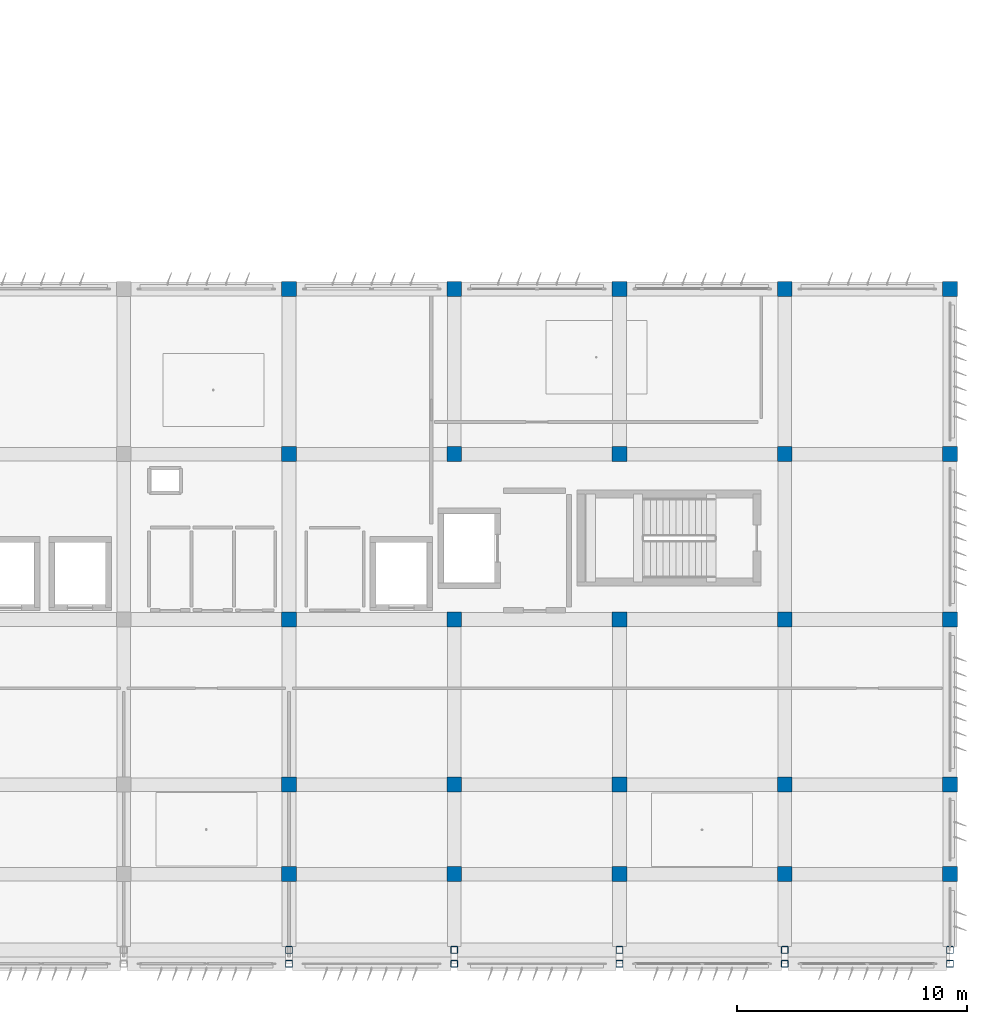
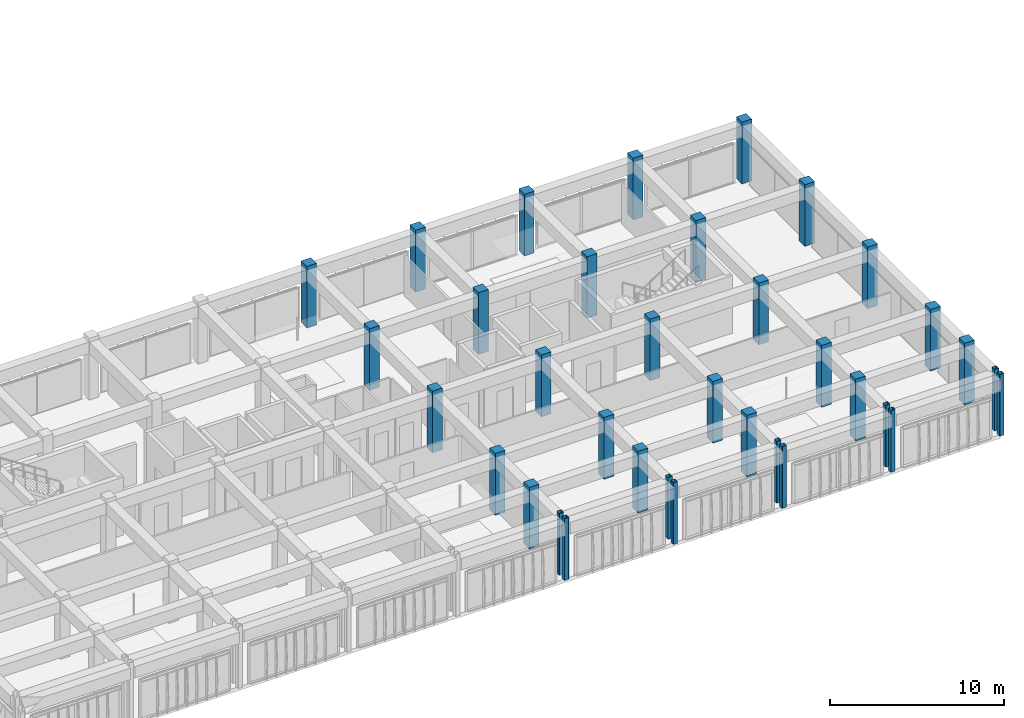
# One storey, part 2 of 53: 35 columns.
"""IFC4 building model written with IfcOpenShell, lengths in metres."""

from ifc_helpers import new_model, si_unit, direction, frame, origin, origin_2d, place, context, subcontext, project, spatial, rectangle, hollow_rectangle, extrude, material, material_profile, profile_set, type_object, element, save


model = new_model("IFC4")

# Units and contexts
model_context = context("Model", 3, precision=1e-05, world=origin(), true_north=direction((0.0, 1.0)))
body_context = subcontext(model_context, "Body", "Model", "MODEL_VIEW")
ifc_project = project(units=[si_unit("LENGTHUNIT", "METRE"), si_unit("AREAUNIT", "SQUARE_METRE"), si_unit("VOLUMEUNIT", "CUBIC_METRE"), si_unit("PLANEANGLEUNIT", "RADIAN"), si_unit("MASSUNIT", "GRAM", prefix="KILO")], contexts=[model_context])

# Site, building, storey
site_placement = place(None, origin())
site = spatial("IfcSite", under=ifc_project, at=site_placement, CompositionType="ELEMENT")
building_placement = place(site_placement, origin())
building = spatial("IfcBuilding", under=site, at=building_placement, Name="Kazehaya Institute of Natural Sciences", CompositionType="ELEMENT")
storey_placement = place(building_placement, frame((0.0, 0.0, 33.300048828125)))
storey = spatial("IfcBuildingStorey", under=building, at=storey_placement, Name="L07", CompositionType="ELEMENT", Elevation=33.300048828125)

# Columns
ifc_material_1 = material(Name="Concrete Fc36", Category="concrete")
ifc_material_profile_1 = material_profile(ifc_material_1, rectangle(XDim=0.64990234375, YDim=0.64990234375, at=origin_2d()), Name="RC-650x650")
ifc_profile_set_1 = profile_set([ifc_material_profile_1], Name="Concrete Fc36")
column_type_1 = type_object("IfcColumnType", Name="COL-RC650", PredefinedType="COLUMN", material=ifc_profile_set_1)
for number, where, z_axis, x_axis, name in (
    (1, (90.60009765625, 10.10009765625, 0.0), (0.0, 0.0, 1.0), (1.0, 0.0, 0.0), "L07 column COL-L07-1236"),
    (2, (97.800048828125, 10.10009765625, 0.0), (0.0, 0.0, 1.0), (1.0, 0.0, 0.0), "L07 column COL-L07-1237"),
    (3, (105.0, 10.10009765625, 0.0), (0.0, 0.0, 1.0), (1.0, 0.0, 0.0), "L07 column COL-L07-1238"),
    (4, (112.199951171875, 10.10009765625, 0.0), (0.0, 0.0, 1.0), (1.0, 0.0, 0.0), "L07 column COL-L07-1239"),
    (5, (119.39990234375, 10.10009765625, 0.0), (0.0, 0.0, 1.0), (1.0, 0.0, 0.0), "L07 column COL-L07-1240"),
    (6, (90.60009765625, 14.0, 0.0), (0.0, 0.0, 1.0), (1.0, 0.0, 0.0), "L07 column COL-L07-1246"),
    (7, (97.800048828125, 14.0, 0.0), (0.0, 0.0, 1.0), (1.0, 0.0, 0.0), "L07 column COL-L07-1247"),
    (8, (105.0, 14.0, 0.0), (0.0, 0.0, 1.0), (1.0, 0.0, 0.0), "L07 column COL-L07-1248"),
    (9, (112.199951171875, 14.0, 0.0), (0.0, 0.0, 1.0), (1.0, 0.0, 0.0), "L07 column COL-L07-1249"),
    (10, (119.39990234375, 14.0, 0.0), (0.0, 0.0, 1.0), (1.0, 0.0, 0.0), "L07 column COL-L07-1250"),
    (11, (90.60009765625, 21.199951171875, 0.0), (0.0, 0.0, 1.0), (1.0, 0.0, 0.0), "L07 column COL-L07-1256"),
    (12, (97.800048828125, 21.199951171875, 0.0), (0.0, 0.0, 1.0), (1.0, 0.0, 0.0), "L07 column COL-L07-1257"),
    (13, (105.0, 21.199951171875, 0.0), (0.0, 0.0, 1.0), (1.0, 0.0, 0.0), "L07 column COL-L07-1258"),
    (14, (112.199951171875, 21.199951171875, 0.0), (0.0, 0.0, 1.0), (1.0, 0.0, 0.0), "L07 column COL-L07-1259"),
    (15, (119.39990234375, 21.199951171875, 0.0), (0.0, 0.0, 1.0), (1.0, 0.0, 0.0), "L07 column COL-L07-1260"),
    (16, (90.60009765625, 28.39990234375, 0.0), (0.0, 0.0, 1.0), (1.0, 0.0, 0.0), "L07 column COL-L07-1266"),
    (17, (97.800048828125, 28.39990234375, 0.0), (0.0, 0.0, 1.0), (1.0, 0.0, 0.0), "L07 column COL-L07-1267"),
    (18, (105.0, 28.39990234375, 0.0), (0.0, 0.0, 1.0), (1.0, 0.0, 0.0), "L07 column COL-L07-1268"),
    (19, (112.199951171875, 28.39990234375, 0.0), (0.0, 0.0, 1.0), (1.0, 0.0, 0.0), "L07 column COL-L07-1269"),
    (20, (119.39990234375, 28.39990234375, 0.0), (0.0, 0.0, 1.0), (1.0, 0.0, 0.0), "L07 column COL-L07-1270"),
    (21, (90.60009765625, 35.60009765625, 0.0), (0.0, 0.0, 1.0), (1.0, 0.0, 0.0), "L07 column COL-L07-1276"),
    (22, (97.800048828125, 35.60009765625, 0.0), (0.0, 0.0, 1.0), (1.0, 0.0, 0.0), "L07 column COL-L07-1277"),
    (23, (105.0, 35.60009765625, 0.0), (0.0, 0.0, 1.0), (1.0, 0.0, 0.0), "L07 column COL-L07-1278"),
    (24, (112.199951171875, 35.60009765625, 0.0), (0.0, 0.0, 1.0), (1.0, 0.0, 0.0), "L07 column COL-L07-1279"),
    (25, (119.39990234375, 35.60009765625, 0.0), (0.0, 0.0, 1.0), (1.0, 0.0, 0.0), "L07 column COL-L07-1280"),
):
    element("IfcColumn", number, at=place(storey_placement, frame(where, z_axis=z_axis, x_axis=x_axis)), inside=storey, type_object=column_type_1, Name=name, PredefinedType="COLUMN", context=body_context, shape_type="SweptSolid", body=[
        extrude(rectangle(XDim=0.64990234375, YDim=0.64990234375, at=origin_2d()), origin(), (0.0, 0.0, 1.0), 4.320068359375),
    ])
ifc_material_2 = material(Name="Structural steel BCR295", Category="steel")
ifc_material_profile_2 = material_profile(ifc_material_2, hollow_rectangle(XDim=0.300048828125, YDim=0.300048828125, WallThickness=0.011962890625, InnerFilletRadius=0.01806640625, OuterFilletRadius=0.030029296875, at=origin_2d()), Name="BCR-300x300x12")
ifc_profile_set_2 = profile_set([ifc_material_profile_2], Name="Structural steel BCR295")
column_type_2 = type_object("IfcColumnType", Name="COL-STL-BCR300", PredefinedType="COLUMN", material=ifc_profile_set_2)
for number, where, z_axis, x_axis, name in (
    (26, (90.60009765625, 6.199951171875, 0.0), (0.0, 0.0, 1.0), (1.0, 0.0, 0.0), "L07 column COL-L07-1216"),
    (27, (97.800048828125, 6.199951171875, 0.0), (0.0, 0.0, 1.0), (1.0, 0.0, 0.0), "L07 column COL-L07-1217"),
    (28, (105.0, 6.199951171875, 0.0), (0.0, 0.0, 1.0), (1.0, 0.0, 0.0), "L07 column COL-L07-1218"),
    (29, (112.199951171875, 6.199951171875, 0.0), (0.0, 0.0, 1.0), (1.0, 0.0, 0.0), "L07 column COL-L07-1219"),
    (30, (119.39990234375, 6.199951171875, 0.0), (0.0, 0.0, 1.0), (1.0, 0.0, 0.0), "L07 column COL-L07-1220"),
    (31, (90.60009765625, 6.800048828125, 0.0), (0.0, 0.0, 1.0), (1.0, 0.0, 0.0), "L07 column COL-L07-1226"),
    (32, (97.800048828125, 6.800048828125, 0.0), (0.0, 0.0, 1.0), (1.0, 0.0, 0.0), "L07 column COL-L07-1227"),
    (33, (105.0, 6.800048828125, 0.0), (0.0, 0.0, 1.0), (1.0, 0.0, 0.0), "L07 column COL-L07-1228"),
    (34, (112.199951171875, 6.800048828125, 0.0), (0.0, 0.0, 1.0), (1.0, 0.0, 0.0), "L07 column COL-L07-1229"),
    (35, (119.39990234375, 6.800048828125, 0.0), (0.0, 0.0, 1.0), (1.0, 0.0, 0.0), "L07 column COL-L07-1230"),
):
    element("IfcColumn", number, at=place(storey_placement, frame(where, z_axis=z_axis, x_axis=x_axis)), inside=storey, type_object=column_type_2, Name=name, PredefinedType="COLUMN", context=body_context, shape_type="SweptSolid", body=[
        extrude(hollow_rectangle(XDim=0.300048828125, YDim=0.300048828125, WallThickness=0.011962890625, InnerFilletRadius=0.01806640625, OuterFilletRadius=0.030029296875, at=origin_2d()), origin(), (0.0, 0.0, 1.0), 4.320068359375),
    ])

save(model, "model.ifc")
